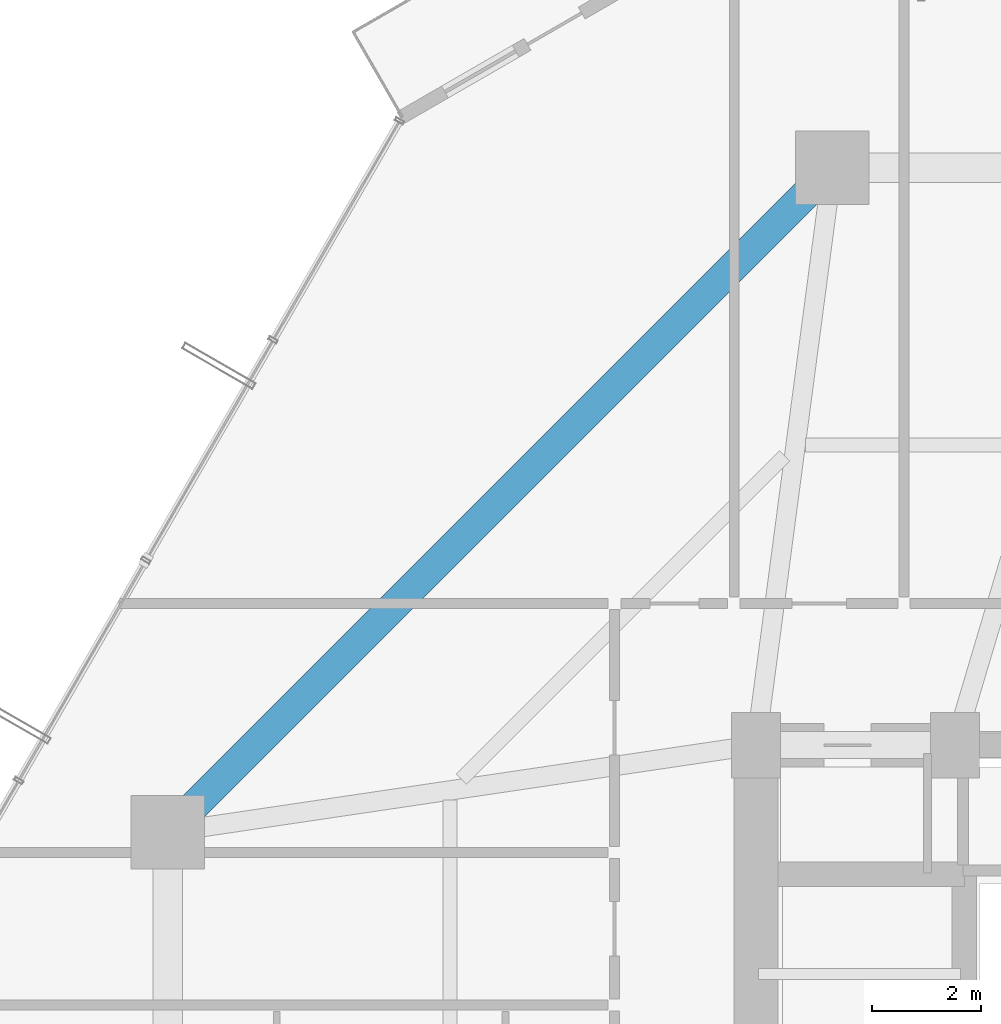
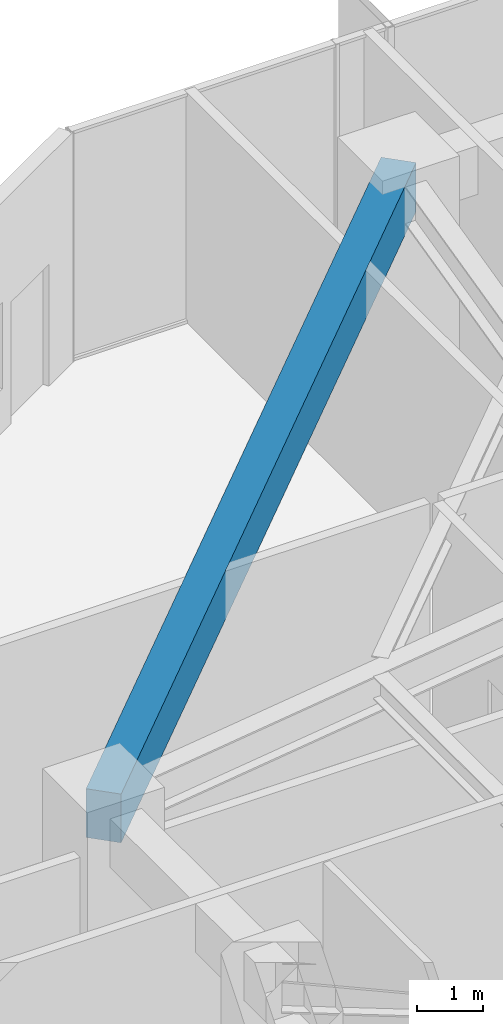
# One storey, part 24 of 39: 1 beam.
"""IFC4 building model written with IfcOpenShell, lengths in metres."""

import ifcopenshell
import ifcopenshell.guid

model = None  # the IFC model being written
_history = None  # IfcOwnerHistory: only IFC2X3 demands one
_inside = {}  # id of a spatial element -> (the spatial element, [elements in it])
_under = {}  # id of a project, library or spatial element -> (it, [spatial elements below it])
_declared = {}  # id of a project -> (the project, [libraries it declares])
_typed = {}  # id of a type object -> (the type object, [elements of that type])
_made_of = {}  # id of a material, layer set ... -> (it, [elements and type objects made of it])


def new_model(schema):
    """Start an empty IFC model of exactly this schema.

    Asked for "IFC4X3", IfcOpenShell would pick the latest addendum, in which some entities
    have other attributes; the version numbers below select the first issue.
    IFC2X3 requires an IfcOwnerHistory on every rooted entity: one is made here for all.
    """
    global model, _history
    if schema == "IFC4X3":
        model = ifcopenshell.file(schema_version=(4, 3, 0, 0))
    else:
        model = ifcopenshell.file(schema=schema)
    _inside.clear()
    _under.clear()
    _declared.clear()
    _typed.clear()
    _made_of.clear()
    _history = None
    if model.schema == "IFC2X3":
        org = make("IfcOrganization", Name="unknown")
        user = make(
            "IfcPersonAndOrganization",
            ThePerson=make("IfcPerson", FamilyName="unknown"),
            TheOrganization=org,
        )
        app = make(
            "IfcApplication",
            ApplicationDeveloper=org,
            Version="unknown",
            ApplicationFullName="unknown",
            ApplicationIdentifier="unknown",
        )
        _history = make(
            "IfcOwnerHistory",
            OwningUser=user,
            OwningApplication=app,
            ChangeAction="ADDED",
            CreationDate=0,
        )
    return model


def make(cls, **values):
    """One entity of the class cls with the attributes given. An attribute that is None is left unset."""
    return model.create_entity(
        cls, **{name: value for name, value in values.items() if value is not None}
    )


def rooted(cls, **values):
    """An entity with a GlobalId (a new one), such as an element, a storey or a relation."""
    return make(cls, GlobalId=ifcopenshell.guid.new(), OwnerHistory=_history, **values)


def si_unit(unit_type, name, prefix=None):
    """IfcSIUnit, for example si_unit("LENGTHUNIT", "METRE", prefix="MILLI")."""
    return make("IfcSIUnit", UnitType=unit_type, Prefix=prefix, Name=name)


def assignment(units):
    """IfcUnitAssignment: the units of a project."""
    return None if units is None else make("IfcUnitAssignment", Units=units)


def point(xyz):
    """IfcCartesianPoint."""
    return None if xyz is None else make("IfcCartesianPoint", Coordinates=xyz)


def direction(xyz):
    """IfcDirection."""
    return None if xyz is None else make("IfcDirection", DirectionRatios=xyz)


def frame(location, z_axis=None, x_axis=None):
    """IfcAxis2Placement3D, a coordinate frame: its origin and axes. An axis left out is left unset."""
    return make(
        "IfcAxis2Placement3D",
        Location=point(location),
        Axis=direction(z_axis),
        RefDirection=direction(x_axis),
    )


def frame_2d(location, x_axis=None):
    """IfcAxis2Placement2D, a coordinate frame in the plane: its origin and x axis."""
    return make(
        "IfcAxis2Placement2D", Location=point(location), RefDirection=direction(x_axis)
    )


def origin():
    """The frame at (0, 0, 0) with its axes left unset."""
    return frame((0.0, 0.0, 0.0))


def origin_2d():
    """The frame at (0, 0) in the plane with its x axis left unset."""
    return frame_2d((0.0, 0.0))


def place(relative_to, where):
    """IfcLocalPlacement: puts the frame where relative to a parent placement (None: the world)."""
    return make(
        "IfcLocalPlacement", PlacementRelTo=relative_to, RelativePlacement=where
    )


def context(
    kind, dimensions, precision=None, world=None, true_north=None, identifier=None
):
    """IfcGeometricRepresentationContext, for example the 3D "Model" context."""
    return make(
        "IfcGeometricRepresentationContext",
        ContextIdentifier=identifier,
        ContextType=kind,
        CoordinateSpaceDimension=dimensions,
        Precision=precision,
        WorldCoordinateSystem=world,
        TrueNorth=true_north,
    )


def subcontext(parent, identifier, kind, view, scale=None):
    """IfcGeometricRepresentationSubContext, for example "Body" below "Model"."""
    return make(
        "IfcGeometricRepresentationSubContext",
        ContextIdentifier=identifier,
        ContextType=kind,
        ParentContext=parent,
        TargetScale=scale,
        TargetView=view,
    )


def project(units=None, contexts=None):
    """IfcProject with its units and contexts."""
    return rooted(
        "IfcProject",
        Name="project",
        RepresentationContexts=contexts,
        UnitsInContext=assignment(units),
    )


def spatial(cls, under=None, at=None, **own):
    """A site, building, storey or space (cls), placed at a placement, below another one or the project."""
    s = rooted(cls, ObjectPlacement=at, **own)
    if under is not None:
        _under.setdefault(under.id(), (under, []))[1].append(s)
    return s


def profile(cls, at=None, kind="AREA", **sizes):
    """A parametric profile (cls). Its sizes go by their IFC names, for example OverallWidth=200.0."""
    return make(cls, ProfileType=kind, Position=at, **sizes)


def rectangle(**sizes):
    """IfcRectangleProfileDef."""
    return profile("IfcRectangleProfileDef", **sizes)


def extrude(swept, where, along, depth):
    """IfcExtrudedAreaSolid: the profile swept, set in the frame where, extruded along a direction by depth."""
    return make(
        "IfcExtrudedAreaSolid",
        SweptArea=swept,
        Position=where,
        ExtrudedDirection=direction(along),
        Depth=depth,
    )


def shape(context_of_items, identifier, shape_type, items):
    """IfcShapeRepresentation: the items that make up one representation, for example the "Body"."""
    return make(
        "IfcShapeRepresentation",
        ContextOfItems=context_of_items,
        RepresentationIdentifier=identifier,
        RepresentationType=shape_type,
        Items=items,
    )


def material(Name=None, Category=None):
    """IfcMaterial."""
    return make("IfcMaterial", Name=Name, Category=Category)


def material_profile(
    of_material, cross_section, Name=None, Category=None, Priority=None
):
    """IfcMaterialProfile: a cross section and its material."""
    return make(
        "IfcMaterialProfile",
        Name=Name,
        Material=of_material,
        Profile=cross_section,
        Priority=Priority,
        Category=Category,
    )


def profile_set(profiles, Name=None, composite=None):
    """IfcMaterialProfileSet."""
    return make(
        "IfcMaterialProfileSet",
        Name=Name,
        MaterialProfiles=profiles,
        CompositeProfile=composite,
    )


def made_of(thing, what):
    """Note that an element or type object is made of a material, layer set ...; save() writes the relation."""
    if what is not None:
        _made_of.setdefault(what.id(), (what, []))[1].append(thing)
    return thing


def type_object(cls, material=None, **own):
    """A type object (cls), such as IfcWallType, which elements share."""
    return made_of(rooted(cls, **own), material)


def element(
    cls,
    number,
    at=None,
    inside=None,
    cuts=None,
    type_object=None,
    material=None,
    context=None,
    identifier="Body",
    shape_type=None,
    held_by="IfcProductDefinitionShape",
    body=None,
    shapes=None,
    **own,
):
    """One element of the class cls, such as IfcWall. Its Tag is "e" and its number.

    at: its placement. inside: the storey or other place that contains it. cuts: it is an
    opening in that element (IfcRelVoidsElement). A single representation is given by context,
    identifier, shape_type and body (its items); several are given by shapes. held_by: the class
    of the entity that holds the representations. save() writes the other relations.
    """
    e = rooted(cls, Tag="e%d" % number, ObjectPlacement=at, **own)
    if body is not None:
        shapes = [shape(context, identifier, shape_type, body)]
    if shapes is not None:
        e.Representation = make(held_by, Representations=shapes)
    if inside is not None:
        _inside.setdefault(inside.id(), (inside, []))[1].append(e)
    if cuts is not None:
        rooted(
            "IfcRelVoidsElement", RelatingBuildingElement=cuts, RelatedOpeningElement=e
        )
    if type_object is not None:
        _typed.setdefault(type_object.id(), (type_object, []))[1].append(e)
    return made_of(e, material)


def aggregate(whole, parts):
    """IfcRelAggregates: a whole, such as a stair, and the parts it consists of."""
    return rooted("IfcRelAggregates", RelatingObject=whole, RelatedObjects=parts)


def save(model, path):
    """Write the relations noted so far, then the file.

    IfcRelAggregates (storeys below a building ...), IfcRelContainedInSpatialStructure (elements
    in a storey), IfcRelDefinesByType, IfcRelAssociatesMaterial and IfcRelDeclares: one each for
    every whole, place, type object, material and project.
    """
    for whole, parts in _under.values():
        aggregate(whole, parts)
    for where, things in _inside.values():
        rooted(
            "IfcRelContainedInSpatialStructure",
            RelatedElements=things,
            RelatingStructure=where,
        )
    for kind, things in _typed.values():
        rooted("IfcRelDefinesByType", RelatedObjects=things, RelatingType=kind)
    for what, things in _made_of.values():
        rooted("IfcRelAssociatesMaterial", RelatedObjects=things, RelatingMaterial=what)
    for by, libraries in _declared.values():
        rooted("IfcRelDeclares", RelatingContext=by, RelatedDefinitions=libraries)
    model.write(path)


model = new_model("IFC4")

# Units and contexts
model_context = context("Model", 3, precision=1e-05, world=origin(), true_north=direction((0.0, 1.0)))
body_context = subcontext(model_context, "Body", "Model", "MODEL_VIEW")
ifc_project = project(units=[si_unit("LENGTHUNIT", "METRE"), si_unit("AREAUNIT", "SQUARE_METRE"), si_unit("VOLUMEUNIT", "CUBIC_METRE"), si_unit("PLANEANGLEUNIT", "RADIAN"), si_unit("MASSUNIT", "GRAM", prefix="KILO")], contexts=[model_context])

# Site, building, storey
site_placement = place(None, origin())
site = spatial("IfcSite", under=ifc_project, at=site_placement, CompositionType="ELEMENT")
building_placement = place(site_placement, origin())
building = spatial("IfcBuilding", under=site, at=building_placement, Name="Veraguas Prism Commons", CompositionType="ELEMENT")
storey_placement = place(building_placement, frame((0.0, 0.0, 22.800048828125)))
storey = spatial("IfcBuildingStorey", under=building, at=storey_placement, Name="L05", CompositionType="ELEMENT", Elevation=22.800048828125)

# Beam
ifc_material = material(Name="Concrete C50/60", Category="concrete")
ifc_material_profile = material_profile(ifc_material, rectangle(XDim=0.550048828125, YDim=0.89990234375, at=origin_2d()), Name="RC550X900")
ifc_profile_set = profile_set([ifc_material_profile], Name="Concrete C50/60")
beam_type = type_object("IfcBeamType", Name="Perimeter Spandrel Lower RC 550x900", PredefinedType="SPANDREL", material=ifc_profile_set)
beam_placement = place(storey_placement, frame((18.60009765625, 41.60009765625, 3.800048828125), z_axis=(-0.707106781187, -0.707106781187, 0.0), x_axis=(0.707106781187, -0.707106781187, 0.0)))
element("IfcBeam", 1, at=beam_placement, inside=storey, type_object=beam_type, Name="Perimeter Spandrel Beam L05-SP06", PredefinedType="SPANDREL", context=body_context, shape_type="SweptSolid", body=[
    extrude(rectangle(XDim=0.550048828125, YDim=0.89990234375, at=origin_2d()), origin(), (0.0, 0.0, 1.0), 17.253662109375),
])

save(model, "model.ifc")
